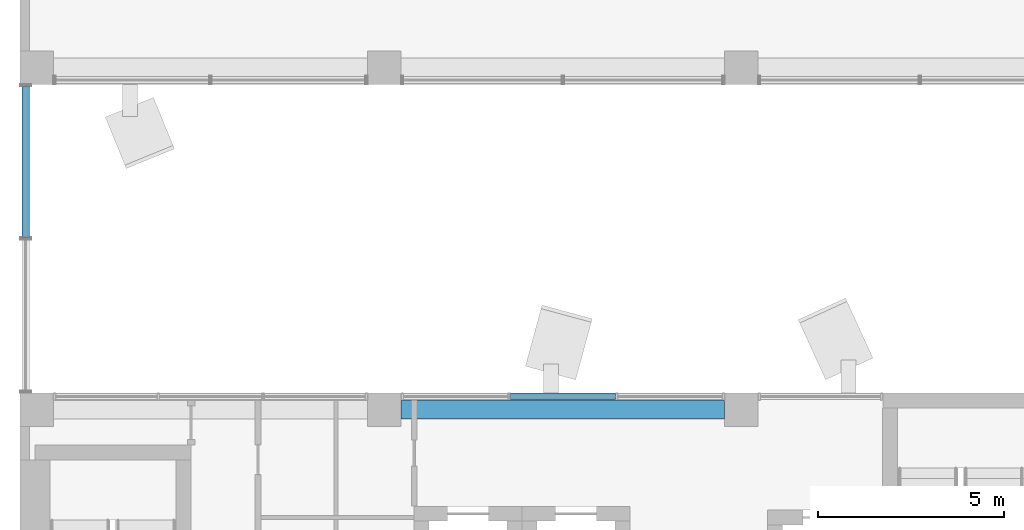
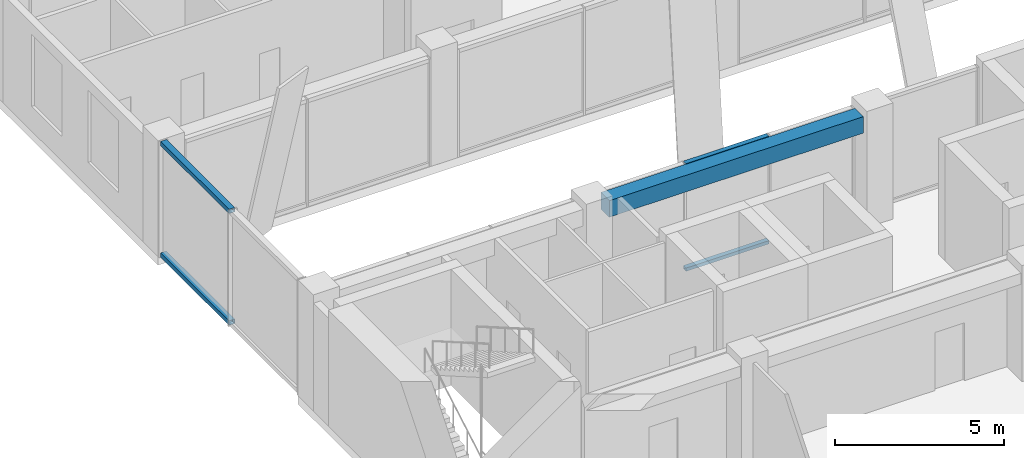
# One storey, part 7 of 36: 4 members, 1 beam, 2 elements without a shape of their own.
"""IFC4 building model written with IfcOpenShell, lengths in metres."""

from ifc_helpers import new_model, si_unit, direction, frame, origin, origin_2d, place, context, subcontext, project, spatial, rectangle, hollow_rectangle, extrude, material, layer, layer_set, material_profile, profile_set, type_object, element, aggregate, save


model = new_model("IFC4")

# Units and contexts
model_context = context("Model", 3, precision=1e-05, world=origin(), true_north=direction((0.0, 1.0)))
body_context = subcontext(model_context, "Body", "Model", "MODEL_VIEW")
ifc_project = project(units=[si_unit("LENGTHUNIT", "METRE"), si_unit("AREAUNIT", "SQUARE_METRE"), si_unit("VOLUMEUNIT", "CUBIC_METRE"), si_unit("PLANEANGLEUNIT", "RADIAN"), si_unit("MASSUNIT", "GRAM", prefix="KILO")], contexts=[model_context])

# Site, building, storey
site_placement = place(None, origin())
site = spatial("IfcSite", under=ifc_project, at=site_placement, CompositionType="ELEMENT")
building_placement = place(site_placement, origin())
building = spatial("IfcBuilding", under=site, at=building_placement, Name="Nzadi Deep Aquarium and Research Tower", CompositionType="ELEMENT")
storey_placement = place(building_placement, frame((0.0, 0.0, 44.5)))
storey = spatial("IfcBuildingStorey", under=building, at=storey_placement, Name="L08", CompositionType="ELEMENT", Elevation=44.5)

# Beam
ifc_material_1 = material(Name="Concrete C35/45", Category="concrete")
ifc_material_profile_1 = material_profile(ifc_material_1, rectangle(XDim=0.5, YDim=0.60009765625, at=origin_2d()))
ifc_profile_set_1 = profile_set([ifc_material_profile_1], Name="Concrete C35/45")
beam_type = type_object("IfcBeamType", Name="RC 500x600", PredefinedType="BEAM", material=ifc_profile_set_1)
beam_placement = place(storey_placement, frame((10.050048828125, 18.39990234375, 3.60009765625), z_axis=(1.0, 0.0, 0.0), x_axis=(0.0, 1.0, 0.0)))
element("IfcBeam", 1, at=beam_placement, inside=storey, type_object=beam_type, Name="B-Z1-L08-L3-2", PredefinedType="BEAM", context=body_context, shape_type="SweptSolid", body=[
    extrude(rectangle(XDim=0.5, YDim=0.60009765625, at=origin_2d()), origin(), (0.0, 0.0, 1.0), 8.699951171875),
])

# Curtain wall, members
ifc_material_2 = material(Name="Aluminium unitised frame", Category="aluminium")
ifc_layer_1 = layer(ifc_material_2, 0.199951171875)
ifc_layer_set_1 = layer_set([ifc_layer_1], Name="Aluminium unitised frame")
curtain_wall_type_1 = type_object("IfcCurtainWallType", Name="Curtain wall Unitised 200", PredefinedType="NOTDEFINED", material=ifc_layer_set_1)
curtain_wall_1_placement = place(storey_placement, origin())
curtain_wall_1 = element("IfcCurtainWall", 2, at=curtain_wall_1_placement, inside=storey, type_object=curtain_wall_type_1, Name="Unitised curtain wall blade A north L08", PredefinedType="NOTDEFINED")
ifc_material_3 = material(Name="Aluminium unitised frame", Category="aluminium")
ifc_material_profile_2 = material_profile(ifc_material_3, hollow_rectangle(XDim=0.159912109375, YDim=0.1201171875, WallThickness=0.0048828125, at=origin_2d()))
ifc_profile_set_2 = profile_set([ifc_material_profile_2], Name="Aluminium unitised frame")
member_type_1 = type_object("IfcMemberType", Name="Transom 120x160 Unitised", PredefinedType="MULLION", material=ifc_profile_set_2)
member_1_placement = place(storey_placement, frame((12.97998046875, 18.75, 0.06005859375), z_axis=(1.0, 0.0, 0.0), x_axis=(0.0, 1.0, 0.0)))
member_1 = element("IfcMember", 3, at=member_1_placement, type_object=member_type_1, Name="CW024 transom 2.1", PredefinedType="MULLION", context=body_context, shape_type="SweptSolid", body=[
    extrude(hollow_rectangle(XDim=0.159912109375, YDim=0.1201171875, WallThickness=0.0048828125, at=origin_2d()), origin(), (0.0, 0.0, 1.0), 2.840087890625),
])
member_2_placement = place(storey_placement, frame((12.97998046875, 18.75, 3.840087890625), z_axis=(1.0, 0.0, 0.0), x_axis=(0.0, 1.0, 0.0)))
member_2 = element("IfcMember", 4, at=member_2_placement, type_object=member_type_1, Name="CW024 transom 2.2", PredefinedType="MULLION", context=body_context, shape_type="SweptSolid", body=[
    extrude(hollow_rectangle(XDim=0.159912109375, YDim=0.1201171875, WallThickness=0.0048828125, at=origin_2d()), origin(), (0.0, 0.0, 1.0), 2.840087890625),
])
aggregate(curtain_wall_1, [member_1, member_2])

ifc_material_4 = material(Name="Aluminium unitised frame wind post", Category="aluminium")
ifc_layer_2 = layer(ifc_material_4, 0.300048828125)
ifc_layer_set_2 = layer_set([ifc_layer_2], Name="Aluminium unitised frame wind post")
curtain_wall_type_2 = type_object("IfcCurtainWallType", Name="Curtain wall Slot End 300", PredefinedType="NOTDEFINED", material=ifc_layer_set_2)
curtain_wall_2_placement = place(storey_placement, origin())
curtain_wall_2 = element("IfcCurtainWall", 5, at=curtain_wall_2_placement, inside=storey, type_object=curtain_wall_type_2, Name="Glazed slot end west L08", PredefinedType="NOTDEFINED")
ifc_material_5 = material(Name="Aluminium unitised frame wind post", Category="aluminium")
ifc_material_profile_3 = material_profile(ifc_material_5, hollow_rectangle(XDim=0.199951171875, YDim=0.159912109375, WallThickness=0.0048828125, at=origin_2d()))
ifc_profile_set_3 = profile_set([ifc_material_profile_3], Name="Aluminium unitised frame wind post")
member_type_2 = type_object("IfcMemberType", Name="Transom 160x200 Slot End", PredefinedType="MULLION", material=ifc_profile_set_3)
member_3_placement = place(storey_placement, frame((-0.050048828125, 23.030029296875, 0.080078125), z_axis=(0.0, 1.0, 0.0), x_axis=(-1.0, 0.0, 0.0)))
member_3 = element("IfcMember", 6, at=member_3_placement, type_object=member_type_2, Name="CW207 transom 2.1", PredefinedType="MULLION", context=body_context, shape_type="SweptSolid", body=[
    extrude(hollow_rectangle(XDim=0.199951171875, YDim=0.159912109375, WallThickness=0.0048828125, at=origin_2d()), origin(), (0.0, 0.0, 1.0), 4.06005859375),
])
member_4_placement = place(storey_placement, frame((-0.050048828125, 23.030029296875, 4.1201171875), z_axis=(0.0, 1.0, 0.0), x_axis=(-1.0, 0.0, 0.0)))
member_4 = element("IfcMember", 7, at=member_4_placement, type_object=member_type_2, Name="CW207 transom 2.2", PredefinedType="MULLION", context=body_context, shape_type="SweptSolid", body=[
    extrude(hollow_rectangle(XDim=0.199951171875, YDim=0.159912109375, WallThickness=0.0048828125, at=origin_2d()), origin(), (0.0, 0.0, 1.0), 4.06005859375),
])
aggregate(curtain_wall_2, [member_3, member_4])

save(model, "model.ifc")
